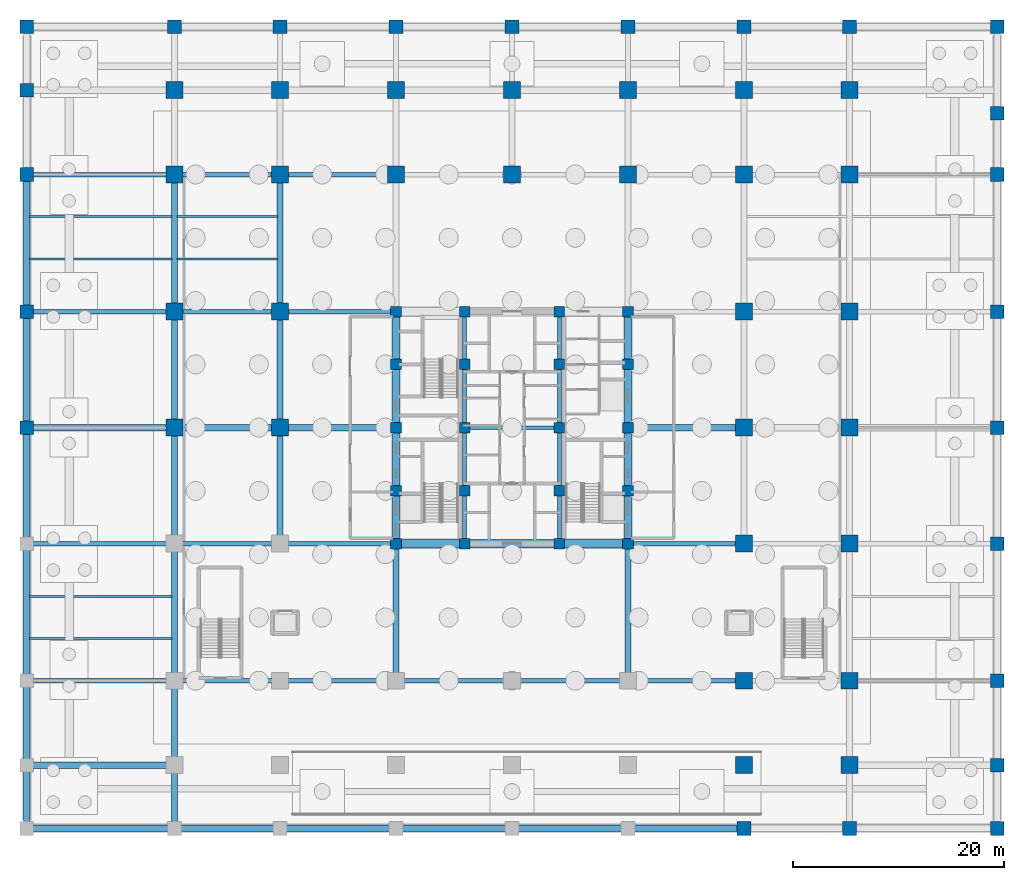
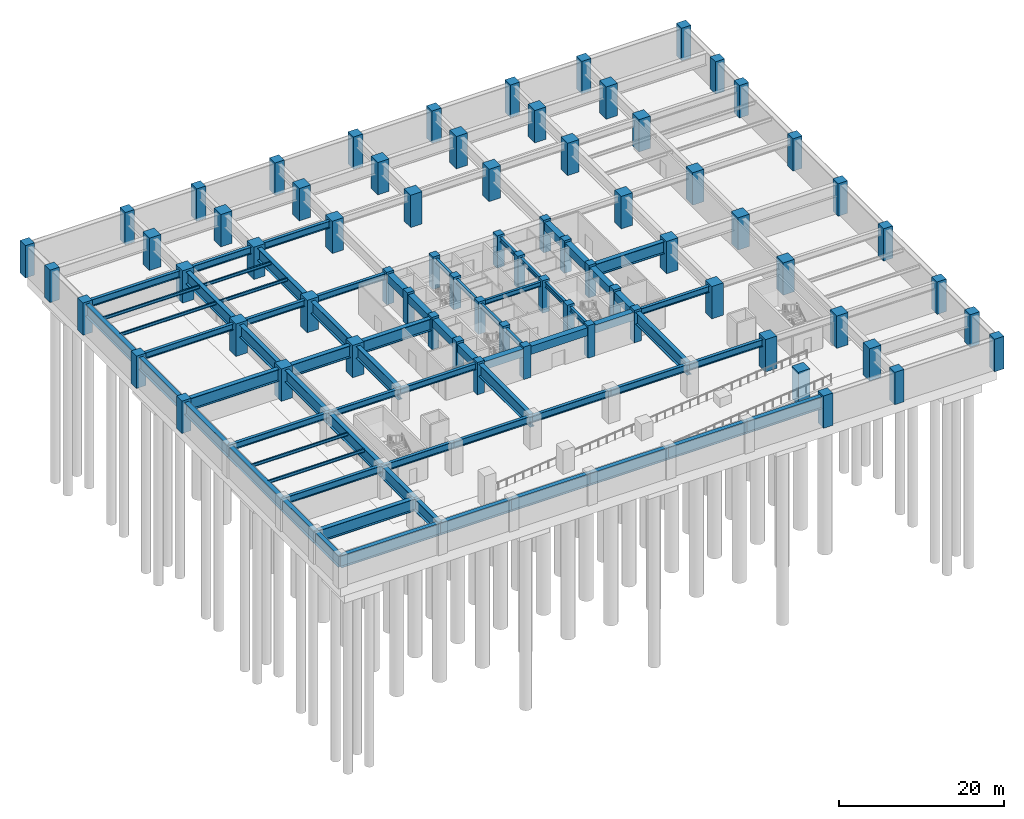
# One storey, part 2 of 13: 71 columns, 70 beams.
"""IFC4 building model written with IfcOpenShell, lengths in metres."""

from ifc_helpers import new_model, si_unit, direction, frame, origin, origin_2d, place, context, subcontext, project, spatial, rectangle, i_section, extrude, source, transform, mapped, material, material_profile, profile_set, type_object, element, save


model = new_model("IFC4")

# Units and contexts
model_context = context("Model", 3, precision=1e-05, world=origin(), true_north=direction((0.0, 1.0)))
body_context = subcontext(model_context, "Body", "Model", "MODEL_VIEW")
ifc_project = project(units=[si_unit("LENGTHUNIT", "METRE"), si_unit("AREAUNIT", "SQUARE_METRE"), si_unit("VOLUMEUNIT", "CUBIC_METRE"), si_unit("PLANEANGLEUNIT", "RADIAN"), si_unit("MASSUNIT", "GRAM", prefix="KILO")], contexts=[model_context])

# Site, building, storey
site_placement = place(None, origin())
site = spatial("IfcSite", under=ifc_project, at=site_placement, CompositionType="ELEMENT")
building_placement = place(site_placement, origin())
building = spatial("IfcBuilding", under=site, at=building_placement, Name="Khorayat Bourse Tower", CompositionType="ELEMENT")
storey_placement = place(building_placement, frame((0.0, 0.0, -9.60009765625)))
storey = spatial("IfcBuildingStorey", under=building, at=storey_placement, Name="B02", CompositionType="ELEMENT", Elevation=-9.60009765625)

# Columns
ifc_material_1 = material(Name="Concrete C72/90", Category="concrete")
ifc_material_profile_1 = material_profile(ifc_material_1, rectangle(XDim=1.300048828125, YDim=1.300048828125, at=origin_2d()), Name="RC 1300x1300")
ifc_profile_set_1 = profile_set([ifc_material_profile_1], Name="Concrete C72/90")
column_type_1 = type_object("IfcColumnType", Name="COL-MEGA-1300", PredefinedType="COLUMN", material=ifc_profile_set_1)
shared_shape_1 = source(origin(), body_context, "Body", "SweptSolid", [
    extrude(rectangle(XDim=1.300048828125, YDim=1.300048828125, at=origin_2d()), origin(), (0.0, 0.0, 1.0), 4.800048828125),
])
for number, where, z_axis, x_axis, name in (
    (1, (-46.0, 0.0, 0.0), (0.0, 0.0, 1.0), (1.0, 0.0, 0.0), "B02 Column 004"),
    (2, (-46.0, 11.0, 0.0), (0.0, 0.0, 1.0), (1.0, 0.0, 0.0), "B02 Column 005"),
    (3, (-46.0, 24.0, 0.0), (0.0, 0.0, 1.0), (1.0, 0.0, 0.0), "B02 Column 006"),
    (4, (-46.0, 38.0, 0.0), (0.0, 0.0, 1.0), (1.0, 0.0, 0.0), "B02 Column 007"),
    (5, (-32.0, 38.0, 0.0), (0.0, 0.0, 1.0), (1.0, 0.0, 0.0), "B02 Column 016"),
    (6, (-22.0, 38.0, 0.0), (0.0, 0.0, 1.0), (1.0, 0.0, 0.0), "B02 Column 025"),
    (7, (-11.0, 38.0, 0.0), (0.0, 0.0, 1.0), (1.0, 0.0, 0.0), "B02 Column 036"),
    (8, (0.0, 38.0, 0.0), (0.0, 0.0, 1.0), (1.0, 0.0, 0.0), "B02 Column 047"),
    (9, (11.0, 38.0, 0.0), (0.0, 0.0, 1.0), (1.0, 0.0, 0.0), "B02 Column 063"),
    (10, (22.0, -38.0, 0.0), (0.0, 0.0, 1.0), (1.0, 0.0, 0.0), "B02 Column 064"),
    (11, (22.0, 38.0, 0.0), (0.0, 0.0, 1.0), (1.0, 0.0, 0.0), "B02 Column 072"),
    (12, (32.0, -38.0, 0.0), (0.0, 0.0, 1.0), (1.0, 0.0, 0.0), "B02 Column 073"),
    (13, (32.0, 38.0, 0.0), (0.0, 0.0, 1.0), (1.0, 0.0, 0.0), "B02 Column 081"),
    (14, (46.0, -38.0, 0.0), (0.0, 0.0, 1.0), (1.0, 0.0, 0.0), "B02 Column 082"),
    (15, (46.0, -24.0, 0.0), (0.0, 0.0, 1.0), (1.0, 0.0, 0.0), "B02 Column 083"),
    (16, (46.0, -11.0, 0.0), (0.0, 0.0, 1.0), (1.0, 0.0, 0.0), "B02 Column 084"),
    (17, (46.0, 0.0, 0.0), (0.0, 0.0, 1.0), (1.0, 0.0, 0.0), "B02 Column 085"),
    (18, (46.0, 11.0, 0.0), (0.0, 0.0, 1.0), (1.0, 0.0, 0.0), "B02 Column 086"),
    (19, (46.0, 24.0, 0.0), (0.0, 0.0, 1.0), (1.0, 0.0, 0.0), "B02 Column 087"),
    (20, (46.0, 38.0, 0.0), (0.0, 0.0, 1.0), (1.0, 0.0, 0.0), "B02 Column 088"),
    (21, (-46.0, 32.0, 0.0), (0.0, 0.0, 1.0), (1.0, 0.0, 0.0), "B02 Perimeter Step Column 2"),
    (22, (46.0, -32.0, 0.0), (0.0, 0.0, 1.0), (1.0, 0.0, 0.0), "B02 Perimeter Step Column 3"),
    (23, (46.0, 29.800048828125, 0.0), (0.0, 0.0, 1.0), (1.0, 0.0, 0.0), "B02 Perimeter Step Column 4"),
):
    element("IfcColumn", number, at=place(storey_placement, frame(where, z_axis=z_axis, x_axis=x_axis)), inside=storey, type_object=column_type_1, Name=name, PredefinedType="COLUMN", context=body_context, shape_type="MappedRepresentation", body=[
        mapped(shared_shape_1, transform((0.0, 0.0, 0.0), scale=1.0)),
    ])
ifc_material_profile_2 = material_profile(ifc_material_1, rectangle(XDim=1.60009765625, YDim=1.60009765625, at=origin_2d()), Name="RC 1600x1600")
ifc_profile_set_2 = profile_set([ifc_material_profile_2], Name="Concrete C72/90")
column_type_2 = type_object("IfcColumnType", Name="COL-MEGA-1600", PredefinedType="COLUMN", material=ifc_profile_set_2)
shared_shape_2 = source(origin(), body_context, "Body", "SweptSolid", [
    extrude(rectangle(XDim=1.60009765625, YDim=1.60009765625, at=origin_2d()), origin(), (0.0, 0.0, 1.0), 4.800048828125),
])
for number, where, z_axis, x_axis, name in (
    (24, (-32.0, 0.0, 0.0), (0.0, 0.0, 1.0), (1.0, 0.0, 0.0), "B02 Column 012"),
    (25, (-32.0, 11.0, 0.0), (0.0, 0.0, 1.0), (1.0, 0.0, 0.0), "B02 Column 013"),
    (26, (-32.0, 24.0, 0.0), (0.0, 0.0, 1.0), (1.0, 0.0, 0.0), "B02 Column 014"),
    (27, (-32.0, 32.0, 0.0), (0.0, 0.0, 1.0), (1.0, 0.0, 0.0), "B02 Column 015"),
    (28, (-22.0, 0.0, 0.0), (0.0, 0.0, 1.0), (1.0, 0.0, 0.0), "B02 Column 021"),
    (29, (-22.0, 11.0, 0.0), (0.0, 0.0, 1.0), (1.0, 0.0, 0.0), "B02 Column 022"),
    (30, (-22.0, 24.0, 0.0), (0.0, 0.0, 1.0), (1.0, 0.0, 0.0), "B02 Column 023"),
    (31, (-22.0, 32.0, 0.0), (0.0, 0.0, 1.0), (1.0, 0.0, 0.0), "B02 Column 024"),
    (32, (-11.0, 24.0, 0.0), (0.0, 0.0, 1.0), (1.0, 0.0, 0.0), "B02 Column 034"),
    (33, (-11.0, 32.0, 0.0), (0.0, 0.0, 1.0), (1.0, 0.0, 0.0), "B02 Column 035"),
    (34, (0.0, 24.0, 0.0), (0.0, 0.0, 1.0), (1.0, 0.0, 0.0), "B02 Column 045"),
    (35, (0.0, 32.0, 0.0), (0.0, 0.0, 1.0), (1.0, 0.0, 0.0), "B02 Column 046"),
    (36, (11.0, 24.0, 0.0), (0.0, 0.0, 1.0), (1.0, 0.0, 0.0), "B02 Column 061"),
    (37, (11.0, 32.0, 0.0), (0.0, 0.0, 1.0), (1.0, 0.0, 0.0), "B02 Column 062"),
    (38, (22.0, -32.0, 0.0), (0.0, 0.0, 1.0), (1.0, 0.0, 0.0), "B02 Column 065"),
    (39, (22.0, -24.0, 0.0), (0.0, 0.0, 1.0), (1.0, 0.0, 0.0), "B02 Column 066"),
    (40, (22.0, -11.0, 0.0), (0.0, 0.0, 1.0), (1.0, 0.0, 0.0), "B02 Column 067"),
    (41, (22.0, 0.0, 0.0), (0.0, 0.0, 1.0), (1.0, 0.0, 0.0), "B02 Column 068"),
    (42, (22.0, 11.0, 0.0), (0.0, 0.0, 1.0), (1.0, 0.0, 0.0), "B02 Column 069"),
    (43, (22.0, 24.0, 0.0), (0.0, 0.0, 1.0), (1.0, 0.0, 0.0), "B02 Column 070"),
    (44, (22.0, 32.0, 0.0), (0.0, 0.0, 1.0), (1.0, 0.0, 0.0), "B02 Column 071"),
    (45, (32.0, -32.0, 0.0), (0.0, 0.0, 1.0), (1.0, 0.0, 0.0), "B02 Column 074"),
    (46, (32.0, -24.0, 0.0), (0.0, 0.0, 1.0), (1.0, 0.0, 0.0), "B02 Column 075"),
    (47, (32.0, -11.0, 0.0), (0.0, 0.0, 1.0), (1.0, 0.0, 0.0), "B02 Column 076"),
    (48, (32.0, 0.0, 0.0), (0.0, 0.0, 1.0), (1.0, 0.0, 0.0), "B02 Column 077"),
    (49, (32.0, 11.0, 0.0), (0.0, 0.0, 1.0), (1.0, 0.0, 0.0), "B02 Column 078"),
    (50, (32.0, 24.0, 0.0), (0.0, 0.0, 1.0), (1.0, 0.0, 0.0), "B02 Column 079"),
    (51, (32.0, 32.0, 0.0), (0.0, 0.0, 1.0), (1.0, 0.0, 0.0), "B02 Column 080"),
):
    element("IfcColumn", number, at=place(storey_placement, frame(where, z_axis=z_axis, x_axis=x_axis)), inside=storey, type_object=column_type_2, Name=name, PredefinedType="COLUMN", context=body_context, shape_type="MappedRepresentation", body=[
        mapped(shared_shape_2, transform((0.0, 0.0, 0.0), scale=1.0)),
    ])
ifc_material_profile_3 = material_profile(ifc_material_1, rectangle(XDim=1.0, YDim=1.0, at=origin_2d()), Name="RC 1000x1000")
ifc_profile_set_3 = profile_set([ifc_material_profile_3], Name="Concrete C72/90")
column_type_3 = type_object("IfcColumnType", Name="COL-CORE-1000", PredefinedType="COLUMN", material=ifc_profile_set_3)
shared_shape_3 = source(origin(), body_context, "Body", "SweptSolid", [
    extrude(rectangle(XDim=1.0, YDim=1.0, at=origin_2d()), origin(), (0.0, 0.0, 1.0), 4.800048828125),
])
for number, where, z_axis, x_axis, name in (
    (52, (-11.0, -11.0, 0.0), (0.0, 0.0, 1.0), (1.0, 0.0, 0.0), "B02 Column 029"),
    (53, (-11.0, -6.0, 0.0), (0.0, 0.0, 1.0), (1.0, 0.0, 0.0), "B02 Column 030"),
    (54, (-11.0, 0.0, 0.0), (0.0, 0.0, 1.0), (1.0, 0.0, 0.0), "B02 Column 031"),
    (55, (-11.0, 6.0, 0.0), (0.0, 0.0, 1.0), (1.0, 0.0, 0.0), "B02 Column 032"),
    (56, (-11.0, 11.0, 0.0), (0.0, 0.0, 1.0), (1.0, 0.0, 0.0), "B02 Column 033"),
    (57, (-4.5, -11.0, 0.0), (0.0, 0.0, 1.0), (1.0, 0.0, 0.0), "B02 Column 037"),
    (58, (-4.5, -6.0, 0.0), (0.0, 0.0, 1.0), (1.0, 0.0, 0.0), "B02 Column 038"),
    (59, (-4.5, 0.0, 0.0), (0.0, 0.0, 1.0), (1.0, 0.0, 0.0), "B02 Column 039"),
    (60, (-4.5, 6.0, 0.0), (0.0, 0.0, 1.0), (1.0, 0.0, 0.0), "B02 Column 040"),
    (61, (-4.5, 11.0, 0.0), (0.0, 0.0, 1.0), (1.0, 0.0, 0.0), "B02 Column 041"),
    (62, (4.5, -11.0, 0.0), (0.0, 0.0, 1.0), (1.0, 0.0, 0.0), "B02 Column 048"),
    (63, (4.5, -6.0, 0.0), (0.0, 0.0, 1.0), (1.0, 0.0, 0.0), "B02 Column 049"),
    (64, (4.5, 0.0, 0.0), (0.0, 0.0, 1.0), (1.0, 0.0, 0.0), "B02 Column 050"),
    (65, (4.5, 6.0, 0.0), (0.0, 0.0, 1.0), (1.0, 0.0, 0.0), "B02 Column 051"),
    (66, (4.5, 11.0, 0.0), (0.0, 0.0, 1.0), (1.0, 0.0, 0.0), "B02 Column 052"),
    (67, (11.0, -11.0, 0.0), (0.0, 0.0, 1.0), (1.0, 0.0, 0.0), "B02 Column 056"),
    (68, (11.0, -6.0, 0.0), (0.0, 0.0, 1.0), (1.0, 0.0, 0.0), "B02 Column 057"),
    (69, (11.0, 0.0, 0.0), (0.0, 0.0, 1.0), (1.0, 0.0, 0.0), "B02 Column 058"),
    (70, (11.0, 6.0, 0.0), (0.0, 0.0, 1.0), (1.0, 0.0, 0.0), "B02 Column 059"),
    (71, (11.0, 11.0, 0.0), (0.0, 0.0, 1.0), (1.0, 0.0, 0.0), "B02 Column 060"),
):
    element("IfcColumn", number, at=place(storey_placement, frame(where, z_axis=z_axis, x_axis=x_axis)), inside=storey, type_object=column_type_3, Name=name, PredefinedType="COLUMN", context=body_context, shape_type="MappedRepresentation", body=[
        mapped(shared_shape_3, transform((0.0, 0.0, 0.0), scale=1.0)),
    ])

# Beams
ifc_material_profile_4 = material_profile(ifc_material_1, rectangle(XDim=0.800048828125, YDim=1.199951171875, at=origin_2d()), Name="RC 800x1200")
ifc_profile_set_4 = profile_set([ifc_material_profile_4], Name="Concrete C72/90")
beam_type_1 = type_object("IfcBeamType", Name="BM-COUP-1200", PredefinedType="BEAM", material=ifc_profile_set_4)
shared_shape_4 = source(origin(), body_context, "Body", "SweptSolid", [
    extrude(rectangle(XDim=0.800048828125, YDim=1.199951171875, at=origin_2d()), origin(), (0.0, 0.0, 1.0), 5.0),
])
for number, where, z_axis, x_axis, name in (
    (72, (-11.0, -11.0, 3.880126953125), (0.0, 1.0, 0.0), (-1.0, 0.0, 0.0), "B02 BM-COUP-1200 BM-B02-CRX-01"),
    (73, (-11.0, 6.0, 3.880126953125), (0.0, 1.0, 0.0), (-1.0, 0.0, 0.0), "B02 BM-COUP-1200 BM-B02-CRX-04"),
    (74, (11.0, -11.0, 3.880126953125), (0.0, 1.0, 0.0), (-1.0, 0.0, 0.0), "B02 BM-COUP-1200 BM-B02-CRX-13"),
    (75, (11.0, 6.0, 3.880126953125), (0.0, 1.0, 0.0), (-1.0, 0.0, 0.0), "B02 BM-COUP-1200 BM-B02-CRX-16"),
):
    element("IfcBeam", number, at=place(storey_placement, frame(where, z_axis=z_axis, x_axis=x_axis)), inside=storey, type_object=beam_type_1, Name=name, PredefinedType="BEAM", context=body_context, shape_type="MappedRepresentation", body=[
        mapped(shared_shape_4, transform((0.0, 0.0, 0.0), scale=1.0)),
    ])
shared_shape_5 = source(origin(), body_context, "Body", "SweptSolid", [
    extrude(rectangle(XDim=0.800048828125, YDim=1.199951171875, at=origin_2d()), origin(), (0.0, 0.0, 1.0), 6.0),
])
for number, where, z_axis, x_axis, name in (
    (76, (-11.0, -6.0, 3.880126953125), (0.0, 1.0, 0.0), (-1.0, 0.0, 0.0), "B02 BM-COUP-1200 BM-B02-CRX-02"),
    (77, (-11.0, 0.0, 3.880126953125), (0.0, 1.0, 0.0), (-1.0, 0.0, 0.0), "B02 BM-COUP-1200 BM-B02-CRX-03"),
    (78, (11.0, -6.0, 3.880126953125), (0.0, 1.0, 0.0), (-1.0, 0.0, 0.0), "B02 BM-COUP-1200 BM-B02-CRX-14"),
    (79, (11.0, 0.0, 3.880126953125), (0.0, 1.0, 0.0), (-1.0, 0.0, 0.0), "B02 BM-COUP-1200 BM-B02-CRX-15"),
):
    element("IfcBeam", number, at=place(storey_placement, frame(where, z_axis=z_axis, x_axis=x_axis)), inside=storey, type_object=beam_type_1, Name=name, PredefinedType="BEAM", context=body_context, shape_type="MappedRepresentation", body=[
        mapped(shared_shape_5, transform((0.0, 0.0, 0.0), scale=1.0)),
    ])
ifc_material_2 = material(Name="Steel ASTM A992 Grade 50", Category="steel")
ifc_material_profile_5 = material_profile(ifc_material_2, i_section(OverallWidth=0.35498046875, OverallDepth=0.695068359375, WebThickness=0.015380859375, FlangeThickness=0.02490234375, FilletRadius=0.01806640625, at=origin_2d()), Name="W690X217")
ifc_profile_set_5 = profile_set([ifc_material_profile_5], Name="Steel ASTM A992 Grade 50")
beam_type_2 = type_object("IfcBeamType", Name="BM-GIRD-690", PredefinedType="BEAM", material=ifc_profile_set_5)
shared_shape_6 = source(origin(), body_context, "Body", "SweptSolid", [
    extrude(i_section(OverallWidth=0.35498046875, OverallDepth=0.695068359375, WebThickness=0.015380859375, FlangeThickness=0.02490234375, FilletRadius=0.01806640625, at=origin_2d()), origin(), (0.0, 0.0, 1.0), 5.0),
])
for number, where, z_axis, x_axis, name in (
    (80, (-4.5, -11.0, 4.132568359375), (0.0, 1.0, 0.0), (-1.0, 0.0, 0.0), "B02 BM-GIRD-690 BM-B02-CRX-05"),
    (81, (-4.5, 6.0, 4.132568359375), (0.0, 1.0, 0.0), (-1.0, 0.0, 0.0), "B02 BM-GIRD-690 BM-B02-CRX-08"),
    (82, (4.5, -11.0, 4.132568359375), (0.0, 1.0, 0.0), (-1.0, 0.0, 0.0), "B02 BM-GIRD-690 BM-B02-CRX-09"),
    (83, (4.5, 6.0, 4.132568359375), (0.0, 1.0, 0.0), (-1.0, 0.0, 0.0), "B02 BM-GIRD-690 BM-B02-CRX-12"),
):
    element("IfcBeam", number, at=place(storey_placement, frame(where, z_axis=z_axis, x_axis=x_axis)), inside=storey, type_object=beam_type_2, Name=name, PredefinedType="BEAM", context=body_context, shape_type="MappedRepresentation", body=[
        mapped(shared_shape_6, transform((0.0, 0.0, 0.0), scale=1.0)),
    ])
shared_shape_7 = source(origin(), body_context, "Body", "SweptSolid", [
    extrude(i_section(OverallWidth=0.35498046875, OverallDepth=0.695068359375, WebThickness=0.015380859375, FlangeThickness=0.02490234375, FilletRadius=0.01806640625, at=origin_2d()), origin(), (0.0, 0.0, 1.0), 6.0),
])
for number, where, z_axis, x_axis, name in (
    (84, (-4.5, -6.0, 4.132568359375), (0.0, 1.0, 0.0), (-1.0, 0.0, 0.0), "B02 BM-GIRD-690 BM-B02-CRX-06"),
    (85, (-4.5, 0.0, 4.132568359375), (0.0, 1.0, 0.0), (-1.0, 0.0, 0.0), "B02 BM-GIRD-690 BM-B02-CRX-07"),
    (86, (4.5, -6.0, 4.132568359375), (0.0, 1.0, 0.0), (-1.0, 0.0, 0.0), "B02 BM-GIRD-690 BM-B02-CRX-10"),
    (87, (4.5, 0.0, 4.132568359375), (0.0, 1.0, 0.0), (-1.0, 0.0, 0.0), "B02 BM-GIRD-690 BM-B02-CRX-11"),
):
    element("IfcBeam", number, at=place(storey_placement, frame(where, z_axis=z_axis, x_axis=x_axis)), inside=storey, type_object=beam_type_2, Name=name, PredefinedType="BEAM", context=body_context, shape_type="MappedRepresentation", body=[
        mapped(shared_shape_7, transform((0.0, 0.0, 0.0), scale=1.0)),
    ])
shared_shape_8 = source(origin(), body_context, "Body", "SweptSolid", [
    extrude(rectangle(XDim=0.800048828125, YDim=1.199951171875, at=origin_2d()), origin(), (0.0, 0.0, 1.0), 6.5),
])
for number, where, z_axis, x_axis, name in (
    (88, (-11.0, -11.0, 3.880126953125), (1.0, 0.0, 0.0), (0.0, 1.0, 0.0), "B02 BM-COUP-1200 BM-B02-CRY-17"),
    (89, (4.5, -11.0, 3.880126953125), (1.0, 0.0, 0.0), (0.0, 1.0, 0.0), "B02 BM-COUP-1200 BM-B02-CRY-19"),
):
    element("IfcBeam", number, at=place(storey_placement, frame(where, z_axis=z_axis, x_axis=x_axis)), inside=storey, type_object=beam_type_1, Name=name, PredefinedType="BEAM", context=body_context, shape_type="MappedRepresentation", body=[
        mapped(shared_shape_8, transform((0.0, 0.0, 0.0), scale=1.0)),
    ])
shared_shape_9 = source(origin(), body_context, "Body", "SweptSolid", [
    extrude(rectangle(XDim=0.800048828125, YDim=1.199951171875, at=origin_2d()), origin(), (0.0, 0.0, 1.0), 9.0),
])
beam_1_placement = place(storey_placement, frame((-4.5, -11.0, 3.880126953125), z_axis=(1.0, 0.0, 0.0), x_axis=(0.0, 1.0, 0.0)))
element("IfcBeam", 90, at=beam_1_placement, inside=storey, type_object=beam_type_1, Name="B02 BM-COUP-1200 BM-B02-CRY-18", PredefinedType="BEAM", context=body_context, shape_type="MappedRepresentation", body=[
    mapped(shared_shape_9, transform((0.0, 0.0, 0.0), scale=1.0)),
])
shared_shape_10 = source(origin(), body_context, "Body", "SweptSolid", [
    extrude(i_section(OverallWidth=0.35498046875, OverallDepth=0.695068359375, WebThickness=0.015380859375, FlangeThickness=0.02490234375, FilletRadius=0.01806640625, at=origin_2d()), origin(), (0.0, 0.0, 1.0), 9.0),
])
beam_2_placement = place(storey_placement, frame((-4.5, 0.0, 4.132568359375), z_axis=(1.0, 0.0, 0.0), x_axis=(0.0, 1.0, 0.0)))
element("IfcBeam", 91, at=beam_2_placement, inside=storey, type_object=beam_type_2, Name="B02 BM-GIRD-690 BM-B02-CRY-23", PredefinedType="BEAM", context=body_context, shape_type="MappedRepresentation", body=[
    mapped(shared_shape_10, transform((0.0, 0.0, 0.0), scale=1.0)),
])
ifc_material_3 = material(Name="Steel EN 10025-4 S460M", Category="steel")
ifc_material_profile_6 = material_profile(ifc_material_3, i_section(OverallWidth=0.60009765625, OverallDepth=1.800048828125, WebThickness=0.031982421875, FlangeThickness=0.06005859375, at=origin_2d()), Name="PG 1800x600x32x60")
ifc_profile_set_6 = profile_set([ifc_material_profile_6], Name="Steel EN 10025-4 S460M")
beam_type_3 = type_object("IfcBeamType", Name="BM-TR-1800", PredefinedType="BEAM", material=ifc_profile_set_6)
shared_shape_11 = source(origin(), body_context, "Body", "SweptSolid", [
    extrude(i_section(OverallWidth=0.60009765625, OverallDepth=1.800048828125, WebThickness=0.031982421875, FlangeThickness=0.06005859375, at=origin_2d()), origin(), (0.0, 0.0, 1.0), 14.0),
])
for number, where, z_axis, x_axis, name in (
    (92, (-46.0, -38.0, 3.580078125), (1.0, 0.0, 0.0), (0.0, 1.0, 0.0), "B02 BM-TR-1800 BM-B02-PGX-024"),
    (93, (-46.0, -32.0, 3.580078125), (1.0, 0.0, 0.0), (0.0, 1.0, 0.0), "B02 BM-TR-1800 BM-B02-PGX-032"),
    (94, (-46.0, 0.0, 3.580078125), (1.0, 0.0, 0.0), (0.0, 1.0, 0.0), "B02 BM-TR-1800 BM-B02-PGX-051"),
):
    element("IfcBeam", number, at=place(storey_placement, frame(where, z_axis=z_axis, x_axis=x_axis)), inside=storey, type_object=beam_type_3, Name=name, PredefinedType="BEAM", context=body_context, shape_type="MappedRepresentation", body=[
        mapped(shared_shape_11, transform((0.0, 0.0, 0.0), scale=1.0)),
    ])
shared_shape_12 = source(origin(), body_context, "Body", "SweptSolid", [
    extrude(i_section(OverallWidth=0.60009765625, OverallDepth=1.800048828125, WebThickness=0.031982421875, FlangeThickness=0.06005859375, at=origin_2d()), origin(), (0.0, 0.0, 1.0), 10.0),
])
for number, where, z_axis, x_axis, name in (
    (95, (-32.0, -38.0, 3.580078125), (1.0, 0.0, 0.0), (0.0, 1.0, 0.0), "B02 BM-TR-1800 BM-B02-PGX-025"),
    (96, (-32.0, 0.0, 3.580078125), (1.0, 0.0, 0.0), (0.0, 1.0, 0.0), "B02 BM-TR-1800 BM-B02-PGX-052"),
):
    element("IfcBeam", number, at=place(storey_placement, frame(where, z_axis=z_axis, x_axis=x_axis)), inside=storey, type_object=beam_type_3, Name=name, PredefinedType="BEAM", context=body_context, shape_type="MappedRepresentation", body=[
        mapped(shared_shape_12, transform((0.0, 0.0, 0.0), scale=1.0)),
    ])
shared_shape_13 = source(origin(), body_context, "Body", "SweptSolid", [
    extrude(i_section(OverallWidth=0.60009765625, OverallDepth=1.800048828125, WebThickness=0.031982421875, FlangeThickness=0.06005859375, at=origin_2d()), origin(), (0.0, 0.0, 1.0), 11.0),
])
for number, where, z_axis, x_axis, name in (
    (97, (-22.0, -38.0, 3.580078125), (1.0, 0.0, 0.0), (0.0, 1.0, 0.0), "B02 BM-TR-1800 BM-B02-PGX-026"),
    (98, (-11.0, -38.0, 3.580078125), (1.0, 0.0, 0.0), (0.0, 1.0, 0.0), "B02 BM-TR-1800 BM-B02-PGX-027"),
    (99, (0.0, -38.0, 3.580078125), (1.0, 0.0, 0.0), (0.0, 1.0, 0.0), "B02 BM-TR-1800 BM-B02-PGX-028"),
    (100, (11.0, -38.0, 3.580078125), (1.0, 0.0, 0.0), (0.0, 1.0, 0.0), "B02 BM-TR-1800 BM-B02-PGX-029"),
    (101, (-22.0, 0.0, 3.580078125), (1.0, 0.0, 0.0), (0.0, 1.0, 0.0), "B02 BM-TR-1800 BM-B02-PGX-053"),
    (102, (11.0, 0.0, 3.580078125), (1.0, 0.0, 0.0), (0.0, 1.0, 0.0), "B02 BM-TR-1800 BM-B02-PGX-054"),
    (103, (-46.0, -11.0, 3.580078125), (0.0, 1.0, 0.0), (-1.0, 0.0, 0.0), "B02 BM-TR-1800 BM-B02-PGY-093"),
    (104, (-46.0, 0.0, 3.580078125), (0.0, 1.0, 0.0), (-1.0, 0.0, 0.0), "B02 BM-TR-1800 BM-B02-PGY-094"),
    (105, (-32.0, -11.0, 3.580078125), (0.0, 1.0, 0.0), (-1.0, 0.0, 0.0), "B02 BM-TR-1800 BM-B02-PGY-101"),
    (106, (-32.0, 0.0, 3.580078125), (0.0, 1.0, 0.0), (-1.0, 0.0, 0.0), "B02 BM-TR-1800 BM-B02-PGY-102"),
    (107, (-22.0, -11.0, 3.580078125), (0.0, 1.0, 0.0), (-1.0, 0.0, 0.0), "B02 BM-TR-1800 BM-B02-PGY-106"),
    (108, (-22.0, 0.0, 3.580078125), (0.0, 1.0, 0.0), (-1.0, 0.0, 0.0), "B02 BM-TR-1800 BM-B02-PGY-107"),
):
    element("IfcBeam", number, at=place(storey_placement, frame(where, z_axis=z_axis, x_axis=x_axis)), inside=storey, type_object=beam_type_3, Name=name, PredefinedType="BEAM", context=body_context, shape_type="MappedRepresentation", body=[
        mapped(shared_shape_13, transform((0.0, 0.0, 0.0), scale=1.0)),
    ])
ifc_material_4 = material(Name="Steel ASTM A913 Grade 65", Category="steel")
ifc_material_profile_7 = material_profile(ifc_material_4, i_section(OverallWidth=0.427978515625, OverallDepth=1.035888671875, WebThickness=0.0244140625, FlangeThickness=0.0419921875, FilletRadius=0.02392578125, at=origin_2d()), Name="W1000X443")
ifc_profile_set_7 = profile_set([ifc_material_profile_7], Name="Steel ASTM A913 Grade 65")
beam_type_4 = type_object("IfcBeamType", Name="BM-HALL-1000", PredefinedType="BEAM", material=ifc_profile_set_7)
shared_shape_14 = source(origin(), body_context, "Body", "SweptSolid", [
    extrude(i_section(OverallWidth=0.427978515625, OverallDepth=1.035888671875, WebThickness=0.0244140625, FlangeThickness=0.0419921875, FilletRadius=0.02392578125, at=origin_2d()), origin(), (0.0, 0.0, 1.0), 14.0),
])
for number, where, z_axis, x_axis, name in (
    (109, (-46.0, -24.0, 3.962158203125), (1.0, 0.0, 0.0), (0.0, 1.0, 0.0), "B02 BM-HALL-1000 BM-B02-PGX-034"),
    (110, (-46.0, 24.0, 3.962158203125), (1.0, 0.0, 0.0), (0.0, 1.0, 0.0), "B02 BM-HALL-1000 BM-B02-PGX-066"),
):
    element("IfcBeam", number, at=place(storey_placement, frame(where, z_axis=z_axis, x_axis=x_axis)), inside=storey, type_object=beam_type_4, Name=name, PredefinedType="BEAM", context=body_context, shape_type="MappedRepresentation", body=[
        mapped(shared_shape_14, transform((0.0, 0.0, 0.0), scale=1.0)),
    ])
shared_shape_15 = source(origin(), body_context, "Body", "SweptSolid", [
    extrude(i_section(OverallWidth=0.427978515625, OverallDepth=1.035888671875, WebThickness=0.0244140625, FlangeThickness=0.0419921875, FilletRadius=0.02392578125, at=origin_2d()), origin(), (0.0, 0.0, 1.0), 10.0),
])
for number, where, z_axis, x_axis, name in (
    (111, (-32.0, -24.0, 3.962158203125), (1.0, 0.0, 0.0), (0.0, 1.0, 0.0), "B02 BM-HALL-1000 BM-B02-PGX-035"),
    (112, (-32.0, 24.0, 3.962158203125), (1.0, 0.0, 0.0), (0.0, 1.0, 0.0), "B02 BM-HALL-1000 BM-B02-PGX-067"),
):
    element("IfcBeam", number, at=place(storey_placement, frame(where, z_axis=z_axis, x_axis=x_axis)), inside=storey, type_object=beam_type_4, Name=name, PredefinedType="BEAM", context=body_context, shape_type="MappedRepresentation", body=[
        mapped(shared_shape_15, transform((0.0, 0.0, 0.0), scale=1.0)),
    ])
shared_shape_16 = source(origin(), body_context, "Body", "SweptSolid", [
    extrude(i_section(OverallWidth=0.427978515625, OverallDepth=1.035888671875, WebThickness=0.0244140625, FlangeThickness=0.0419921875, FilletRadius=0.02392578125, at=origin_2d()), origin(), (0.0, 0.0, 1.0), 11.0),
])
for number, where, z_axis, x_axis, name in (
    (113, (-22.0, -24.0, 3.962158203125), (1.0, 0.0, 0.0), (0.0, 1.0, 0.0), "B02 BM-HALL-1000 BM-B02-PGX-036"),
    (114, (-11.0, -24.0, 3.962158203125), (1.0, 0.0, 0.0), (0.0, 1.0, 0.0), "B02 BM-HALL-1000 BM-B02-PGX-037"),
    (115, (0.0, -24.0, 3.962158203125), (1.0, 0.0, 0.0), (0.0, 1.0, 0.0), "B02 BM-HALL-1000 BM-B02-PGX-038"),
    (116, (11.0, -24.0, 3.962158203125), (1.0, 0.0, 0.0), (0.0, 1.0, 0.0), "B02 BM-HALL-1000 BM-B02-PGX-039"),
    (117, (-22.0, 24.0, 3.962158203125), (1.0, 0.0, 0.0), (0.0, 1.0, 0.0), "B02 BM-HALL-1000 BM-B02-PGX-068"),
):
    element("IfcBeam", number, at=place(storey_placement, frame(where, z_axis=z_axis, x_axis=x_axis)), inside=storey, type_object=beam_type_4, Name=name, PredefinedType="BEAM", context=body_context, shape_type="MappedRepresentation", body=[
        mapped(shared_shape_16, transform((0.0, 0.0, 0.0), scale=1.0)),
    ])
ifc_material_profile_8 = material_profile(ifc_material_4, i_section(OverallWidth=0.41796875, OverallDepth=0.912109375, WebThickness=0.019287109375, FlangeThickness=0.031982421875, FilletRadius=0.02197265625, at=origin_2d()), Name="W920X342")
ifc_profile_set_8 = profile_set([ifc_material_profile_8], Name="Steel ASTM A913 Grade 65")
beam_type_5 = type_object("IfcBeamType", Name="BM-HALL-920", PredefinedType="BEAM", material=ifc_profile_set_8)
shared_shape_17 = source(origin(), body_context, "Body", "SweptSolid", [
    extrude(i_section(OverallWidth=0.41796875, OverallDepth=0.912109375, WebThickness=0.019287109375, FlangeThickness=0.031982421875, FilletRadius=0.02197265625, at=origin_2d()), origin(), (0.0, 0.0, 1.0), 14.0),
])
for number, where, z_axis, x_axis, name in (
    (118, (-46.0, -11.0, 4.024169921875), (1.0, 0.0, 0.0), (0.0, 1.0, 0.0), "B02 BM-HALL-920 BM-B02-PGX-042"),
    (119, (-46.0, 11.0, 4.024169921875), (1.0, 0.0, 0.0), (0.0, 1.0, 0.0), "B02 BM-HALL-920 BM-B02-PGX-057"),
):
    element("IfcBeam", number, at=place(storey_placement, frame(where, z_axis=z_axis, x_axis=x_axis)), inside=storey, type_object=beam_type_5, Name=name, PredefinedType="BEAM", context=body_context, shape_type="MappedRepresentation", body=[
        mapped(shared_shape_17, transform((0.0, 0.0, 0.0), scale=1.0)),
    ])
shared_shape_18 = source(origin(), body_context, "Body", "SweptSolid", [
    extrude(i_section(OverallWidth=0.41796875, OverallDepth=0.912109375, WebThickness=0.019287109375, FlangeThickness=0.031982421875, FilletRadius=0.02197265625, at=origin_2d()), origin(), (0.0, 0.0, 1.0), 10.0),
])
for number, where, z_axis, x_axis, name in (
    (120, (-32.0, -11.0, 4.024169921875), (1.0, 0.0, 0.0), (0.0, 1.0, 0.0), "B02 BM-HALL-920 BM-B02-PGX-043"),
    (121, (-32.0, 11.0, 4.024169921875), (1.0, 0.0, 0.0), (0.0, 1.0, 0.0), "B02 BM-HALL-920 BM-B02-PGX-058"),
):
    element("IfcBeam", number, at=place(storey_placement, frame(where, z_axis=z_axis, x_axis=x_axis)), inside=storey, type_object=beam_type_5, Name=name, PredefinedType="BEAM", context=body_context, shape_type="MappedRepresentation", body=[
        mapped(shared_shape_18, transform((0.0, 0.0, 0.0), scale=1.0)),
    ])
shared_shape_19 = source(origin(), body_context, "Body", "SweptSolid", [
    extrude(i_section(OverallWidth=0.41796875, OverallDepth=0.912109375, WebThickness=0.019287109375, FlangeThickness=0.031982421875, FilletRadius=0.02197265625, at=origin_2d()), origin(), (0.0, 0.0, 1.0), 11.0),
])
for number, where, z_axis, x_axis, name in (
    (122, (-22.0, -11.0, 4.024169921875), (1.0, 0.0, 0.0), (0.0, 1.0, 0.0), "B02 BM-HALL-920 BM-B02-PGX-044"),
    (123, (11.0, -11.0, 4.024169921875), (1.0, 0.0, 0.0), (0.0, 1.0, 0.0), "B02 BM-HALL-920 BM-B02-PGX-048"),
    (124, (-22.0, 11.0, 4.024169921875), (1.0, 0.0, 0.0), (0.0, 1.0, 0.0), "B02 BM-HALL-920 BM-B02-PGX-059"),
):
    element("IfcBeam", number, at=place(storey_placement, frame(where, z_axis=z_axis, x_axis=x_axis)), inside=storey, type_object=beam_type_5, Name=name, PredefinedType="BEAM", context=body_context, shape_type="MappedRepresentation", body=[
        mapped(shared_shape_19, transform((0.0, 0.0, 0.0), scale=1.0)),
    ])
shared_shape_20 = source(origin(), body_context, "Body", "SweptSolid", [
    extrude(i_section(OverallWidth=0.60009765625, OverallDepth=1.800048828125, WebThickness=0.031982421875, FlangeThickness=0.06005859375, at=origin_2d()), origin(), (0.0, 0.0, 1.0), 6.0),
])
for number, where, z_axis, x_axis, name in (
    (125, (-46.0, -38.0, 3.580078125), (0.0, 1.0, 0.0), (-1.0, 0.0, 0.0), "B02 BM-TR-1800 BM-B02-PGY-090"),
    (126, (-32.0, -38.0, 3.580078125), (0.0, 1.0, 0.0), (-1.0, 0.0, 0.0), "B02 BM-TR-1800 BM-B02-PGY-098"),
):
    element("IfcBeam", number, at=place(storey_placement, frame(where, z_axis=z_axis, x_axis=x_axis)), inside=storey, type_object=beam_type_3, Name=name, PredefinedType="BEAM", context=body_context, shape_type="MappedRepresentation", body=[
        mapped(shared_shape_20, transform((0.0, 0.0, 0.0), scale=1.0)),
    ])
shared_shape_21 = source(origin(), body_context, "Body", "SweptSolid", [
    extrude(i_section(OverallWidth=0.60009765625, OverallDepth=1.800048828125, WebThickness=0.031982421875, FlangeThickness=0.06005859375, at=origin_2d()), origin(), (0.0, 0.0, 1.0), 8.0),
])
for number, where, z_axis, x_axis, name in (
    (127, (-46.0, -32.0, 3.580078125), (0.0, 1.0, 0.0), (-1.0, 0.0, 0.0), "B02 BM-TR-1800 BM-B02-PGY-091"),
    (128, (-32.0, -32.0, 3.580078125), (0.0, 1.0, 0.0), (-1.0, 0.0, 0.0), "B02 BM-TR-1800 BM-B02-PGY-099"),
):
    element("IfcBeam", number, at=place(storey_placement, frame(where, z_axis=z_axis, x_axis=x_axis)), inside=storey, type_object=beam_type_3, Name=name, PredefinedType="BEAM", context=body_context, shape_type="MappedRepresentation", body=[
        mapped(shared_shape_21, transform((0.0, 0.0, 0.0), scale=1.0)),
    ])
shared_shape_22 = source(origin(), body_context, "Body", "SweptSolid", [
    extrude(i_section(OverallWidth=0.60009765625, OverallDepth=1.800048828125, WebThickness=0.031982421875, FlangeThickness=0.06005859375, at=origin_2d()), origin(), (0.0, 0.0, 1.0), 13.0),
])
for number, where, z_axis, x_axis, name in (
    (129, (-46.0, -24.0, 3.580078125), (0.0, 1.0, 0.0), (-1.0, 0.0, 0.0), "B02 BM-TR-1800 BM-B02-PGY-092"),
    (130, (-46.0, 11.0, 3.580078125), (0.0, 1.0, 0.0), (-1.0, 0.0, 0.0), "B02 BM-TR-1800 BM-B02-PGY-095"),
    (131, (-32.0, -24.0, 3.580078125), (0.0, 1.0, 0.0), (-1.0, 0.0, 0.0), "B02 BM-TR-1800 BM-B02-PGY-100"),
    (132, (-32.0, 11.0, 3.580078125), (0.0, 1.0, 0.0), (-1.0, 0.0, 0.0), "B02 BM-TR-1800 BM-B02-PGY-103"),
    (133, (-22.0, 11.0, 3.580078125), (0.0, 1.0, 0.0), (-1.0, 0.0, 0.0), "B02 BM-TR-1800 BM-B02-PGY-108"),
    (134, (-11.0, -24.0, 3.580078125), (0.0, 1.0, 0.0), (-1.0, 0.0, 0.0), "B02 BM-TR-1800 BM-B02-PGY-111"),
    (135, (11.0, -24.0, 3.580078125), (0.0, 1.0, 0.0), (-1.0, 0.0, 0.0), "B02 BM-TR-1800 BM-B02-PGY-120"),
):
    element("IfcBeam", number, at=place(storey_placement, frame(where, z_axis=z_axis, x_axis=x_axis)), inside=storey, type_object=beam_type_3, Name=name, PredefinedType="BEAM", context=body_context, shape_type="MappedRepresentation", body=[
        mapped(shared_shape_22, transform((0.0, 0.0, 0.0), scale=1.0)),
    ])
ifc_material_profile_9 = material_profile(ifc_material_2, i_section(OverallWidth=0.194091796875, OverallDepth=0.468994140625, WebThickness=0.0126953125, FlangeThickness=0.0205078125, FilletRadius=0.012939453125, at=origin_2d()), Name="W460X106")
ifc_profile_set_9 = profile_set([ifc_material_profile_9], Name="Steel ASTM A992 Grade 50")
beam_type_6 = type_object("IfcBeamType", Name="BM-JOIST-460", PredefinedType="JOIST", material=ifc_profile_set_9)
shared_shape_23 = source(origin(), body_context, "Body", "SweptSolid", [
    extrude(i_section(OverallWidth=0.194091796875, OverallDepth=0.468994140625, WebThickness=0.0126953125, FlangeThickness=0.0205078125, FilletRadius=0.012939453125, at=origin_2d()), origin(), (0.0, 0.0, 1.0), 13.52001953125),
])
for number, where, z_axis, x_axis, name in (
    (136, (-45.760009765625, -20.0, 4.24560546875), (1.0, 0.0, 0.0), (0.0, 1.0, 0.0), "B02 BM-JOIST-460 BM-B02-PJ-147"),
    (137, (-45.760009765625, -16.0, 4.24560546875), (1.0, 0.0, 0.0), (0.0, 1.0, 0.0), "B02 BM-JOIST-460 BM-B02-PJ-149"),
    (138, (-45.760009765625, 16.0, 4.24560546875), (1.0, 0.0, 0.0), (0.0, 1.0, 0.0), "B02 BM-JOIST-460 BM-B02-PJ-151"),
    (139, (-45.760009765625, 20.0, 4.24560546875), (1.0, 0.0, 0.0), (0.0, 1.0, 0.0), "B02 BM-JOIST-460 BM-B02-PJ-155"),
):
    element("IfcBeam", number, at=place(storey_placement, frame(where, z_axis=z_axis, x_axis=x_axis)), inside=storey, type_object=beam_type_6, Name=name, PredefinedType="JOIST", context=body_context, shape_type="MappedRepresentation", body=[
        mapped(shared_shape_23, transform((0.0, 0.0, 0.0), scale=1.0)),
    ])
shared_shape_24 = source(origin(), body_context, "Body", "SweptSolid", [
    extrude(i_section(OverallWidth=0.194091796875, OverallDepth=0.468994140625, WebThickness=0.0126953125, FlangeThickness=0.0205078125, FilletRadius=0.012939453125, at=origin_2d()), origin(), (0.0, 0.0, 1.0), 9.52001953125),
])
for number, where, z_axis, x_axis, name in (
    (140, (-31.760009765625, 16.0, 4.24560546875), (1.0, 0.0, 0.0), (0.0, 1.0, 0.0), "B02 BM-JOIST-460 BM-B02-PJ-152"),
    (141, (-31.760009765625, 20.0, 4.24560546875), (1.0, 0.0, 0.0), (0.0, 1.0, 0.0), "B02 BM-JOIST-460 BM-B02-PJ-156"),
):
    element("IfcBeam", number, at=place(storey_placement, frame(where, z_axis=z_axis, x_axis=x_axis)), inside=storey, type_object=beam_type_6, Name=name, PredefinedType="JOIST", context=body_context, shape_type="MappedRepresentation", body=[
        mapped(shared_shape_24, transform((0.0, 0.0, 0.0), scale=1.0)),
    ])

save(model, "model.ifc")
